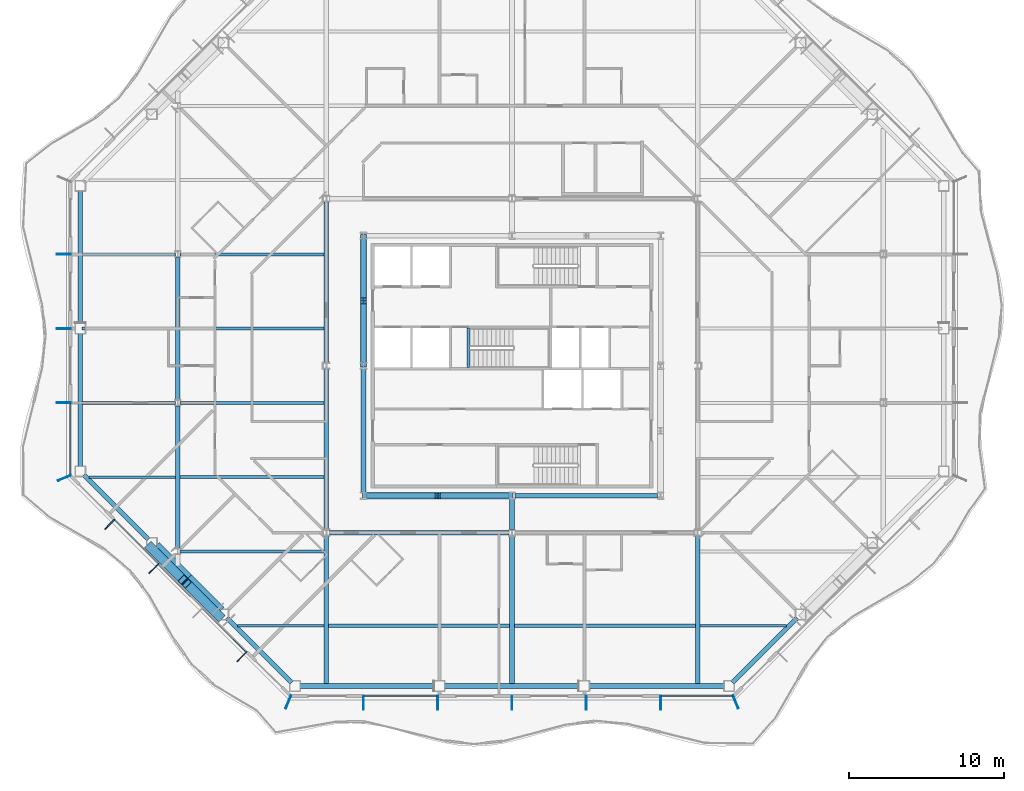
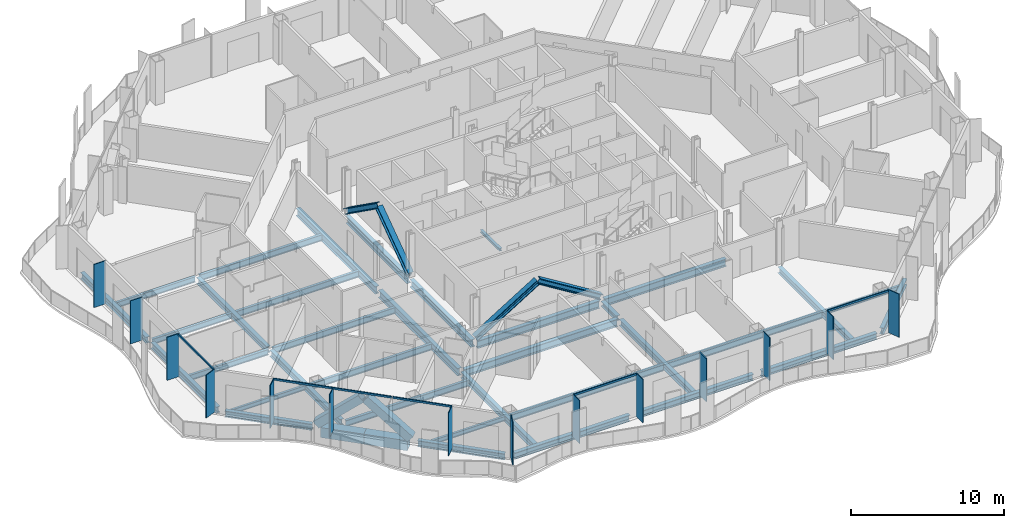
# One storey, part 3 of 22: 37 beams, 26 members, 4 elements without a shape of their own.
"""IFC4 building model written with IfcOpenShell, lengths in metres."""

from ifc_helpers import new_model, si_unit, direction, frame, origin, origin_2d, place, context, subcontext, project, spatial, rectangle, hollow_rectangle, i_section, extrude, material, material_profile, profile_set, type_object, element, aggregate, save


model = new_model("IFC4")

# Units and contexts
model_context = context("Model", 3, precision=1e-05, world=origin(), true_north=direction((0.0, 1.0)))
body_context = subcontext(model_context, "Body", "Model", "MODEL_VIEW")
ifc_project = project(units=[si_unit("LENGTHUNIT", "METRE"), si_unit("AREAUNIT", "SQUARE_METRE"), si_unit("VOLUMEUNIT", "CUBIC_METRE"), si_unit("PLANEANGLEUNIT", "RADIAN"), si_unit("MASSUNIT", "GRAM", prefix="KILO")], contexts=[model_context])

# Site, building, storey
site_placement = place(None, origin())
site = spatial("IfcSite", under=ifc_project, at=site_placement, CompositionType="ELEMENT")
building_placement = place(site_placement, origin())
building = spatial("IfcBuilding", under=site, at=building_placement, Name="Cairn Pilgrim Tower", CompositionType="ELEMENT")
storey_placement = place(building_placement, frame((0.0, 0.0, 147.0)))
storey = spatial("IfcBuildingStorey", under=building, at=storey_placement, Name="L36", CompositionType="ELEMENT", Elevation=147.0)

# Members
ifc_material_1 = material(Name="Structural steel S460M", Category="steel")
ifc_material_profile_1 = material_profile(ifc_material_1, hollow_rectangle(XDim=0.60009765625, YDim=0.60009765625, WallThickness=0.034912109375, at=origin_2d()), Name="BOX 600x600x35")
ifc_profile_set_1 = profile_set([ifc_material_profile_1], Name="Structural steel S460M")
member_type_1 = type_object("IfcMemberType", Name="BOX 600x600x35 BRACE", PredefinedType="BRACE", material=ifc_profile_set_1)
for number, where, z_axis, x_axis, name in (
    (1, (-16.213623046875, -9.288330078125, 0.14990234375), (0.535555986925, -0.535555986925, 0.652962150311), (0.707106781187, 0.707106781187, 0.0), "XB-SW2-SW3-1"),
    (2, (-11.6884765625, -13.813720703125, 0.14990234375), (-0.535512846393, 0.535573335815, 0.652983302476), (-0.707146713802, -0.707066846316, 0.0), "XB-SW2-SW3-2"),
):
    element("IfcMember", number, at=place(storey_placement, frame(where, z_axis=z_axis, x_axis=x_axis)), inside=storey, type_object=member_type_1, Name=name, PredefinedType="BRACE", context=body_context, shape_type="SweptSolid", body=[
        extrude(hollow_rectangle(XDim=0.60009765625, YDim=0.60009765625, WallThickness=0.034912109375, at=origin_2d()), origin(), (0.0, 0.0, 1.0), 4.0361328125),
    ])

# Beams
ifc_material_2 = material(Name="Structural steel S355J2", Category="steel")
ifc_material_profile_2 = material_profile(ifc_material_2, hollow_rectangle(XDim=0.699951171875, YDim=0.800048828125, WallThickness=0.0400390625, at=origin_2d()), Name="BOX 700x800x40")
ifc_profile_set_2 = profile_set([ifc_material_profile_2], Name="Structural steel S355J2")
beam_type_1 = type_object("IfcBeamType", Name="BOX 700x800x40 RING GIRDER", PredefinedType="SPANDREL", material=ifc_profile_set_2)
for number, where, z_axis, x_axis, name in (
    (3, (-15.85302734375, -9.274169921875, -0.550048828125), (0.707106781187, -0.707106781187, 0.0), (0.707106781187, 0.707106781187, 0.0), "RG2-SW2-SW3-1"),
    (4, (-13.763671875, -11.363525390625, -0.550048828125), (0.707106781187, -0.707106781187, 0.0), (0.707106781187, 0.707106781187, 0.0), "RG2-SW2-SW3-2"),
):
    element("IfcBeam", number, at=place(storey_placement, frame(where, z_axis=z_axis, x_axis=x_axis)), inside=storey, type_object=beam_type_1, Name=name, PredefinedType="SPANDREL", context=body_context, shape_type="SweptSolid", body=[
        extrude(hollow_rectangle(XDim=0.699951171875, YDim=0.800048828125, WallThickness=0.0400390625, at=origin_2d()), origin(), (0.0, 0.0, 1.0), 2.954833984375),
    ])

# Curtain wall, members
ifc_material_3 = material(Name="Aluminium alloy 6063-T6 bronze anodised with Bronze tinted laminated low-E glass 8+16+8.8", Category="aluminium")
curtain_wall_type_1 = type_object("IfcCurtainWallType", Name="TOWER STICK CURTAIN WALL NS", PredefinedType="NOTDEFINED", material=ifc_material_3)
curtain_wall_1_placement = place(storey_placement, origin())
curtain_wall_1 = element("IfcCurtainWall", 5, at=curtain_wall_1_placement, inside=storey, type_object=curtain_wall_type_1, Name="Tower Stick Curtain Wall Ns S", PredefinedType="NOTDEFINED")
ifc_material_4 = material(Name="Aluminium alloy 6063-T6 bronze anodised", Category="aluminium")
ifc_material_profile_3 = material_profile(ifc_material_4, rectangle(XDim=0.89990234375, YDim=0.06005859375, at=origin_2d()), Name="FIN MULLION 60x900 BRONZE")
ifc_profile_set_3 = profile_set([ifc_material_profile_3], Name="Aluminium alloy 6063-T6 bronze anodised")
member_type_2 = type_object("IfcMemberType", Name="FIN MULLION 60x900 BRONZE", PredefinedType="MULLION", material=ifc_profile_set_3)
member_1_placement = place(storey_placement, frame((-7.257080078125, -19.338134765625, 0.0), z_axis=(0.0, 0.0, 1.0), x_axis=(-0.382683432365, -0.923879532511, 0.0)))
member_1 = element("IfcMember", 6, at=member_1_placement, type_object=member_type_2, Name="Fin mullion S1", PredefinedType="MULLION", context=body_context, shape_type="SweptSolid", body=[
    extrude(rectangle(XDim=0.89990234375, YDim=0.06005859375, at=origin_2d()), origin(), (0.0, 0.0, 1.0), 3.449951171875),
])
member_2_placement = place(storey_placement, frame((-2.39990234375, -19.3701171875, 0.0), z_axis=(0.0, 0.0, 1.0), x_axis=(0.0, -1.0, 0.0)))
member_2 = element("IfcMember", 7, at=member_2_placement, type_object=member_type_2, Name="Fin mullion S2", PredefinedType="MULLION", context=body_context, shape_type="SweptSolid", body=[
    extrude(rectangle(XDim=0.89990234375, YDim=0.06005859375, at=origin_2d()), origin(), (0.0, 0.0, 1.0), 3.449951171875),
])
member_3_placement = place(storey_placement, frame((2.39990234375, -19.3701171875, 0.0), z_axis=(0.0, 0.0, 1.0), x_axis=(0.0, -1.0, 0.0)))
member_3 = element("IfcMember", 8, at=member_3_placement, type_object=member_type_2, Name="Fin mullion S3", PredefinedType="MULLION", context=body_context, shape_type="SweptSolid", body=[
    extrude(rectangle(XDim=0.89990234375, YDim=0.06005859375, at=origin_2d()), origin(), (0.0, 0.0, 1.0), 3.449951171875),
])
member_4_placement = place(storey_placement, frame((7.199951171875, -19.3701171875, 0.0), z_axis=(0.0, 0.0, 1.0), x_axis=(0.0, -1.0, 0.0)))
member_4 = element("IfcMember", 9, at=member_4_placement, type_object=member_type_2, Name="Fin mullion S4", PredefinedType="MULLION", context=body_context, shape_type="SweptSolid", body=[
    extrude(rectangle(XDim=0.89990234375, YDim=0.06005859375, at=origin_2d()), origin(), (0.0, 0.0, 1.0), 3.449951171875),
])
member_5_placement = place(storey_placement, frame((12.0, -19.3701171875, 0.0), z_axis=(0.0, 0.0, 1.0), x_axis=(0.0, -1.0, 0.0)))
member_5 = element("IfcMember", 10, at=member_5_placement, type_object=member_type_2, Name="Fin mullion S5", PredefinedType="MULLION", context=body_context, shape_type="SweptSolid", body=[
    extrude(rectangle(XDim=0.89990234375, YDim=0.06005859375, at=origin_2d()), origin(), (0.0, 0.0, 1.0), 3.449951171875),
])
member_6_placement = place(storey_placement, frame((16.800048828125, -19.3701171875, 0.0), z_axis=(0.0, 0.0, 1.0), x_axis=(0.0, -1.0, 0.0)))
member_6 = element("IfcMember", 11, at=member_6_placement, type_object=member_type_2, Name="Fin mullion S6", PredefinedType="MULLION", context=body_context, shape_type="SweptSolid", body=[
    extrude(rectangle(XDim=0.89990234375, YDim=0.06005859375, at=origin_2d()), origin(), (0.0, 0.0, 1.0), 3.449951171875),
])

# Curtain wall, member
curtain_wall_type_2 = type_object("IfcCurtainWallType", Name="CHAMFER CORNER CURTAIN WALL", PredefinedType="NOTDEFINED", material=ifc_material_3)
curtain_wall_2_placement = place(storey_placement, origin())
curtain_wall_2 = element("IfcCurtainWall", 12, at=curtain_wall_2_placement, inside=storey, type_object=curtain_wall_type_2, Name="Chamfer Corner Curtain Wall SE", PredefinedType="NOTDEFINED")
member_7_placement = place(storey_placement, frame((21.6572265625, -19.338134765625, 0.0), z_axis=(0.0, 0.0, 1.0), x_axis=(0.382683432365, -0.923879532511, 0.0)))
member_7 = element("IfcMember", 13, at=member_7_placement, type_object=member_type_2, Name="Fin mullion SE1", PredefinedType="MULLION", context=body_context, shape_type="SweptSolid", body=[
    extrude(rectangle(XDim=0.89990234375, YDim=0.06005859375, at=origin_2d()), origin(), (0.0, 0.0, 1.0), 3.449951171875),
])
aggregate(curtain_wall_2, [member_7])

# Curtain wall, members
curtain_wall_type_3 = type_object("IfcCurtainWallType", Name="TOWER STICK CURTAIN WALL EW", PredefinedType="NOTDEFINED", material=ifc_material_3)
curtain_wall_3_placement = place(storey_placement, origin())
curtain_wall_3 = element("IfcCurtainWall", 14, at=curtain_wall_3_placement, inside=storey, type_object=curtain_wall_type_3, Name="Tower Stick Curtain Wall Ew W", PredefinedType="NOTDEFINED")
member_8_placement = place(storey_placement, frame((-21.77001953125, 9.60009765625, 0.0), z_axis=(0.0, 0.0, 1.0), x_axis=(-1.0, 0.0, 0.0)))
member_8 = element("IfcMember", 15, at=member_8_placement, type_object=member_type_2, Name="Fin mullion W2", PredefinedType="MULLION", context=body_context, shape_type="SweptSolid", body=[
    extrude(rectangle(XDim=0.89990234375, YDim=0.06005859375, at=origin_2d()), origin(), (0.0, 0.0, 1.0), 3.449951171875),
])
member_9_placement = place(storey_placement, frame((-21.77001953125, 4.800048828125, 0.0), z_axis=(0.0, 0.0, 1.0), x_axis=(-1.0, 0.0, 0.0)))
member_9 = element("IfcMember", 16, at=member_9_placement, type_object=member_type_2, Name="Fin mullion W3", PredefinedType="MULLION", context=body_context, shape_type="SweptSolid", body=[
    extrude(rectangle(XDim=0.89990234375, YDim=0.06005859375, at=origin_2d()), origin(), (0.0, 0.0, 1.0), 3.449951171875),
])
member_10_placement = place(storey_placement, frame((-21.77001953125, 0.0, 0.0), z_axis=(0.0, 0.0, 1.0), x_axis=(-1.0, 0.0, 0.0)))
member_10 = element("IfcMember", 17, at=member_10_placement, type_object=member_type_2, Name="Fin mullion W4", PredefinedType="MULLION", context=body_context, shape_type="SweptSolid", body=[
    extrude(rectangle(XDim=0.89990234375, YDim=0.06005859375, at=origin_2d()), origin(), (0.0, 0.0, 1.0), 3.449951171875),
])

curtain_wall_4_placement = place(storey_placement, origin())
curtain_wall_4 = element("IfcCurtainWall", 18, at=curtain_wall_4_placement, inside=storey, type_object=curtain_wall_type_2, Name="Chamfer Corner Curtain Wall SW", PredefinedType="NOTDEFINED")
member_11_placement = place(storey_placement, frame((-21.738037109375, -4.857177734375, 0.0), z_axis=(0.0, 0.0, 1.0), x_axis=(-0.923879532511, -0.382683432365, 0.0)))
member_11 = element("IfcMember", 19, at=member_11_placement, type_object=member_type_2, Name="Fin mullion SW1", PredefinedType="MULLION", context=body_context, shape_type="SweptSolid", body=[
    extrude(rectangle(XDim=0.89990234375, YDim=0.06005859375, at=origin_2d()), origin(), (0.0, 0.0, 1.0), 3.449951171875),
])
member_12_placement = place(storey_placement, frame((-18.79638671875, -7.84423828125, 0.0), z_axis=(0.0, 0.0, 1.0), x_axis=(-0.707106781187, -0.707106781187, 0.0)))
member_12 = element("IfcMember", 20, at=member_12_placement, type_object=member_type_2, Name="Fin mullion SW2", PredefinedType="MULLION", context=body_context, shape_type="SweptSolid", body=[
    extrude(rectangle(XDim=0.89990234375, YDim=0.06005859375, at=origin_2d()), origin(), (0.0, 0.0, 1.0), 3.449951171875),
])
member_13_placement = place(storey_placement, frame((-15.945556640625, -10.69482421875, 0.0), z_axis=(0.0, 0.0, 1.0), x_axis=(-0.707106781187, -0.707106781187, 0.0)))
member_13 = element("IfcMember", 21, at=member_13_placement, type_object=member_type_2, Name="Fin mullion SW3", PredefinedType="MULLION", context=body_context, shape_type="SweptSolid", body=[
    extrude(rectangle(XDim=0.89990234375, YDim=0.06005859375, at=origin_2d()), origin(), (0.0, 0.0, 1.0), 3.449951171875),
])
member_14_placement = place(storey_placement, frame((-10.244140625, -16.396240234375, 0.0), z_axis=(0.0, 0.0, 1.0), x_axis=(-0.707106781187, -0.707106781187, 0.0)))
member_14 = element("IfcMember", 22, at=member_14_placement, type_object=member_type_2, Name="Fin mullion SW5", PredefinedType="MULLION", context=body_context, shape_type="SweptSolid", body=[
    extrude(rectangle(XDim=0.89990234375, YDim=0.06005859375, at=origin_2d()), origin(), (0.0, 0.0, 1.0), 3.449951171875),
])

# Members
ifc_material_profile_4 = material_profile(ifc_material_1, i_section(OverallWidth=0.408935546875, OverallDepth=0.425048828125, WebThickness=0.03271484375, FlangeThickness=0.052490234375, FilletRadius=0.014892578125, at=origin_2d()), Name="HD 400x421")
ifc_profile_set_4 = profile_set([ifc_material_profile_4], Name="Structural steel S460M")
member_type_3 = type_object("IfcMemberType", Name="HD 400x421 BRACE", PredefinedType="BRACE", material=ifc_profile_set_4)
for number, where, z_axis, x_axis, name in (
    (23, (-2.357666015625, -6.0, 0.10009765625), (0.85108304523, 0.0, 0.525031094434), (0.0, 1.0, 0.0), "KB-1A"),
    (24, (7.15771484375, -6.0, 0.10009765625), (-0.851095219931, 0.0, 0.525011358553), (0.0, -1.0, 0.0), "KB-1B"),
):
    element("IfcMember", number, at=place(storey_placement, frame(where, z_axis=z_axis, x_axis=x_axis)), inside=storey, type_object=member_type_3, Name=name, PredefinedType="BRACE", context=body_context, shape_type="SweptSolid", body=[
        extrude(i_section(OverallWidth=0.408935546875, OverallDepth=0.425048828125, WebThickness=0.03271484375, FlangeThickness=0.052490234375, FilletRadius=0.014892578125, at=origin_2d()), origin(), (0.0, 0.0, 1.0), 5.527587890625),
    ])
for number, where, z_axis, x_axis, name in (
    (25, (-2.39990234375, 10.757568359375, 0.10009765625), (0.0, -0.814281054922, 0.58047081201), (1.0, 0.0, 0.0), "KB-4A"),
    (26, (-2.39990234375, 2.4423828125, 0.10009765625), (0.0, 0.814281054922, 0.58047081201), (-1.0, 0.0, 0.0), "KB-4B"),
):
    element("IfcMember", number, at=place(storey_placement, frame(where, z_axis=z_axis, x_axis=x_axis)), inside=storey, type_object=member_type_3, Name=name, PredefinedType="BRACE", context=body_context, shape_type="SweptSolid", body=[
        extrude(i_section(OverallWidth=0.408935546875, OverallDepth=0.425048828125, WebThickness=0.03271484375, FlangeThickness=0.052490234375, FilletRadius=0.014892578125, at=origin_2d()), origin(), (0.0, 0.0, 1.0), 4.99755859375),
    ])

# Beams
ifc_material_profile_5 = material_profile(ifc_material_2, i_section(OverallWidth=0.300048828125, OverallDepth=0.39990234375, WebThickness=0.013427734375, FlangeThickness=0.02392578125, FilletRadius=0.027099609375, at=origin_2d()), Name="HEB 400")
ifc_profile_set_5 = profile_set([ifc_material_profile_5], Name="Structural steel S355J2")
beam_type_2 = type_object("IfcBeamType", Name="HEB 400 GIRDER", PredefinedType="BEAM", material=ifc_profile_set_5)
beam_1_placement = place(storey_placement, frame((7.199951171875, -8.195556640625, -0.35009765625), z_axis=(0.0, 1.0, 0.0), x_axis=(-1.0, 0.0, 0.0)))
element("IfcBeam", 27, at=beam_1_placement, inside=storey, type_object=beam_type_2, Name="PG3-E1", PredefinedType="BEAM", context=body_context, shape_type="SweptSolid", body=[
    extrude(i_section(OverallWidth=0.300048828125, OverallDepth=0.39990234375, WebThickness=0.013427734375, FlangeThickness=0.02392578125, FilletRadius=0.027099609375, at=origin_2d()), origin(), (0.0, 0.0, 1.0), 1.983642578125),
])
ifc_material_profile_6 = material_profile(ifc_material_2, i_section(OverallWidth=0.300048828125, OverallDepth=0.5, WebThickness=0.014404296875, FlangeThickness=0.028076171875, FilletRadius=0.027099609375, at=origin_2d()), Name="HEB 500")
ifc_profile_set_6 = profile_set([ifc_material_profile_6], Name="Structural steel S355J2")
beam_type_3 = type_object("IfcBeamType", Name="HEB 500 GIRDER", PredefinedType="BEAM", material=ifc_profile_set_6)
for number, where, z_axis, x_axis, name in (
    (28, (-14.39990234375, -9.400390625, -0.39990234375), (0.0, 1.0, 0.0), (-1.0, 0.0, 0.0), "PG1-1"),
    (29, (-14.39990234375, 0.199462890625, -0.39990234375), (0.0, 1.0, 0.0), (-1.0, 0.0, 0.0), "PG1-2"),
):
    element("IfcBeam", number, at=place(storey_placement, frame(where, z_axis=z_axis, x_axis=x_axis)), inside=storey, type_object=beam_type_3, Name=name, PredefinedType="BEAM", context=body_context, shape_type="SweptSolid", body=[
        extrude(i_section(OverallWidth=0.300048828125, OverallDepth=0.5, WebThickness=0.014404296875, FlangeThickness=0.028076171875, FilletRadius=0.027099609375, at=origin_2d()), origin(), (0.0, 0.0, 1.0), 9.200927734375),
    ])
for number, where, z_axis, x_axis, name in (
    (30, (-4.800048828125, -18.179931640625, -0.39990234375), (0.0, 1.0, 0.0), (-1.0, 0.0, 0.0), "PG2-1"),
    (31, (7.199951171875, -18.179931640625, -0.39990234375), (0.0, 1.0, 0.0), (-1.0, 0.0, 0.0), "PG3-1"),
    (32, (19.199951171875, -18.179931640625, -0.39990234375), (0.0, 1.0, 0.0), (-1.0, 0.0, 0.0), "PG4-1"),
):
    element("IfcBeam", number, at=place(storey_placement, frame(where, z_axis=z_axis, x_axis=x_axis)), inside=storey, type_object=beam_type_3, Name=name, PredefinedType="BEAM", context=body_context, shape_type="SweptSolid", body=[
        extrude(i_section(OverallWidth=0.300048828125, OverallDepth=0.5, WebThickness=0.014404296875, FlangeThickness=0.028076171875, FilletRadius=0.027099609375, at=origin_2d()), origin(), (0.0, 0.0, 1.0), 9.575439453125),
    ])
ifc_material_profile_7 = material_profile(ifc_material_2, i_section(OverallWidth=0.300048828125, OverallDepth=0.5, WebThickness=0.014404296875, FlangeThickness=0.028076171875, FilletRadius=0.027099609375, at=origin_2d()), Name="HEB 500")
ifc_profile_set_7 = profile_set([ifc_material_profile_7], Name="Structural steel S355J2")
beam_type_4 = type_object("IfcBeamType", Name="HEB 500 RING GIRDER", PredefinedType="SPANDREL", material=ifc_profile_set_7)
for number, where, z_axis, x_axis, name in (
    (33, (-6.51220703125, -18.300048828125, -0.39990234375), (1.0, 0.0, 0.0), (0.0, 1.0, 0.0), "RG2-S1-S2"),
    (34, (2.83935546875, -18.300048828125, -0.39990234375), (1.0, 0.0, 0.0), (0.0, 1.0, 0.0), "RG2-S2-S3"),
    (35, (12.190673828125, -18.300048828125, -0.39990234375), (1.0, 0.0, 0.0), (0.0, 1.0, 0.0), "RG2-S3-SE1"),
):
    element("IfcBeam", number, at=place(storey_placement, frame(where, z_axis=z_axis, x_axis=x_axis)), inside=storey, type_object=beam_type_4, Name=name, PredefinedType="SPANDREL", context=body_context, shape_type="SweptSolid", body=[
        extrude(i_section(OverallWidth=0.300048828125, OverallDepth=0.5, WebThickness=0.014404296875, FlangeThickness=0.028076171875, FilletRadius=0.027099609375, at=origin_2d()), origin(), (0.0, 0.0, 1.0), 8.721435546875),
    ])
beam_2_placement = place(storey_placement, frame((21.449951171875, -18.077392578125, -0.39990234375), z_axis=(0.707086125179, 0.707127436591, 0.0), x_axis=(-0.707127436591, 0.707086125179, 0.0)))
element("IfcBeam", 36, at=beam_2_placement, inside=storey, type_object=beam_type_4, Name="RG2-SE1-SE2", PredefinedType="SPANDREL", context=body_context, shape_type="SweptSolid", body=[
    extrude(i_section(OverallWidth=0.300048828125, OverallDepth=0.5, WebThickness=0.014404296875, FlangeThickness=0.028076171875, FilletRadius=0.027099609375, at=origin_2d()), origin(), (0.0, 0.0, 1.0), 5.90966796875),
])
beam_3_placement = place(storey_placement, frame((-20.699951171875, 13.712158203125, -0.39990234375), z_axis=(0.0, -1.0, 0.0), x_axis=(1.0, 0.0, 0.0)))
element("IfcBeam", 37, at=beam_3_placement, inside=storey, type_object=beam_type_4, Name="RG2-W1-W2", PredefinedType="SPANDREL", context=body_context, shape_type="SweptSolid", body=[
    extrude(i_section(OverallWidth=0.300048828125, OverallDepth=0.5, WebThickness=0.014404296875, FlangeThickness=0.028076171875, FilletRadius=0.027099609375, at=origin_2d()), origin(), (0.0, 0.0, 1.0), 8.59716796875),
])
beam_4_placement = place(storey_placement, frame((-20.699951171875, 4.485107421875, -0.39990234375), z_axis=(0.0, -1.0, 0.0), x_axis=(1.0, 0.0, 0.0)))
element("IfcBeam", 38, at=beam_4_placement, inside=storey, type_object=beam_type_4, Name="RG2-W2-SW1", PredefinedType="SPANDREL", context=body_context, shape_type="SweptSolid", body=[
    extrude(i_section(OverallWidth=0.300048828125, OverallDepth=0.5, WebThickness=0.014404296875, FlangeThickness=0.028076171875, FilletRadius=0.027099609375, at=origin_2d()), origin(), (0.0, 0.0, 1.0), 8.597412109375),
])
beam_5_placement = place(storey_placement, frame((-20.477294921875, -4.64990234375, -0.39990234375), z_axis=(0.707106781187, -0.707106781187, 0.0), x_axis=(0.707106781187, 0.707106781187, 0.0)))
element("IfcBeam", 39, at=beam_5_placement, inside=storey, type_object=beam_type_4, Name="RG2-SW1-SW2", PredefinedType="SPANDREL", context=body_context, shape_type="SweptSolid", body=[
    extrude(i_section(OverallWidth=0.300048828125, OverallDepth=0.5, WebThickness=0.014404296875, FlangeThickness=0.028076171875, FilletRadius=0.027099609375, at=origin_2d()), origin(), (0.0, 0.0, 1.0), 5.90966796875),
])
beam_6_placement = place(storey_placement, frame((-11.228759765625, -13.8984375, -0.39990234375), z_axis=(0.707106781187, -0.707106781187, 0.0), x_axis=(0.707106781187, 0.707106781187, 0.0)))
element("IfcBeam", 40, at=beam_6_placement, inside=storey, type_object=beam_type_4, Name="RG2-SW3-S1", PredefinedType="SPANDREL", context=body_context, shape_type="SweptSolid", body=[
    extrude(i_section(OverallWidth=0.300048828125, OverallDepth=0.5, WebThickness=0.014404296875, FlangeThickness=0.028076171875, FilletRadius=0.027099609375, at=origin_2d()), origin(), (0.0, 0.0, 1.0), 5.909912109375),
])
ifc_material_profile_8 = material_profile(ifc_material_2, i_section(OverallWidth=0.300048828125, OverallDepth=0.60009765625, WebThickness=0.015380859375, FlangeThickness=0.030029296875, FilletRadius=0.027099609375, at=origin_2d()), Name="HEB 600")
ifc_profile_set_8 = profile_set([ifc_material_profile_8], Name="Structural steel S355J2")
beam_type_5 = type_object("IfcBeamType", Name="HEB 600 CORE BEAM", PredefinedType="BEAM", material=ifc_profile_set_8)
beam_7_placement = place(storey_placement, frame((-2.209228515625, -6.0, -0.449951171875), z_axis=(1.0, 0.0, 0.0), x_axis=(0.0, 1.0, 0.0)))
element("IfcBeam", 41, at=beam_7_placement, inside=storey, type_object=beam_type_5, Name="CB-1", PredefinedType="BEAM", context=body_context, shape_type="SweptSolid", body=[
    extrude(i_section(OverallWidth=0.300048828125, OverallDepth=0.60009765625, WebThickness=0.015380859375, FlangeThickness=0.030029296875, FilletRadius=0.027099609375, at=origin_2d()), origin(), (0.0, 0.0, 1.0), 9.218505859375),
])
beam_8_placement = place(storey_placement, frame((7.390869140625, -6.0, -0.449951171875), z_axis=(1.0, 0.0, 0.0), x_axis=(0.0, 1.0, 0.0)))
element("IfcBeam", 42, at=beam_8_placement, inside=storey, type_object=beam_type_5, Name="CB-2", PredefinedType="BEAM", context=body_context, shape_type="SweptSolid", body=[
    extrude(i_section(OverallWidth=0.300048828125, OverallDepth=0.60009765625, WebThickness=0.015380859375, FlangeThickness=0.030029296875, FilletRadius=0.027099609375, at=origin_2d()), origin(), (0.0, 0.0, 1.0), 9.21826171875),
])
for number, where, z_axis, x_axis, name in (
    (43, (-2.39990234375, 10.609130859375, -0.449951171875), (0.0, -1.0, 0.0), (1.0, 0.0, 0.0), "CB-7"),
    (44, (-2.39990234375, 2.209228515625, -0.449951171875), (0.0, -1.0, 0.0), (1.0, 0.0, 0.0), "CB-8"),
):
    element("IfcBeam", number, at=place(storey_placement, frame(where, z_axis=z_axis, x_axis=x_axis)), inside=storey, type_object=beam_type_5, Name=name, PredefinedType="BEAM", context=body_context, shape_type="SweptSolid", body=[
        extrude(i_section(OverallWidth=0.300048828125, OverallDepth=0.60009765625, WebThickness=0.015380859375, FlangeThickness=0.030029296875, FilletRadius=0.027099609375, at=origin_2d()), origin(), (0.0, 0.0, 1.0), 8.018310546875),
    ])
ifc_material_profile_9 = material_profile(ifc_material_2, i_section(OverallWidth=0.300048828125, OverallDepth=0.60009765625, WebThickness=0.015380859375, FlangeThickness=0.030029296875, FilletRadius=0.027099609375, at=origin_2d()), Name="HEB 600")
ifc_profile_set_9 = profile_set([ifc_material_profile_9], Name="Structural steel S355J2")
beam_type_6 = type_object("IfcBeamType", Name="HEB 600 GIRDER", PredefinedType="BEAM", material=ifc_profile_set_9)
for number, where, z_axis, x_axis, name in (
    (45, (-4.800048828125, -8.195556640625, -0.449951171875), (0.0, 1.0, 0.0), (-1.0, 0.0, 0.0), "PG2-2"),
    (46, (-4.800048828125, 2.6044921875, -0.449951171875), (0.0, 1.0, 0.0), (-1.0, 0.0, 0.0), "PG2-3"),
):
    element("IfcBeam", number, at=place(storey_placement, frame(where, z_axis=z_axis, x_axis=x_axis)), inside=storey, type_object=beam_type_6, Name=name, PredefinedType="BEAM", context=body_context, shape_type="SweptSolid", body=[
        extrude(i_section(OverallWidth=0.300048828125, OverallDepth=0.60009765625, WebThickness=0.015380859375, FlangeThickness=0.030029296875, FilletRadius=0.027099609375, at=origin_2d()), origin(), (0.0, 0.0, 1.0), 10.39111328125),
    ])
ifc_material_profile_10 = material_profile(ifc_material_2, i_section(OverallWidth=0.300048828125, OverallDepth=0.60009765625, WebThickness=0.015380859375, FlangeThickness=0.030029296875, FilletRadius=0.027099609375, at=origin_2d()), Name="HEB 600")
ifc_profile_set_10 = profile_set([ifc_material_profile_10], Name="Structural steel S355J2")
beam_type_7 = type_object("IfcBeamType", Name="HEB 600 INNER GIRDER", PredefinedType="BEAM", material=ifc_profile_set_10)
beam_9_placement = place(storey_placement, frame((-4.595458984375, -8.39990234375, -0.449951171875), z_axis=(1.0, 0.0, 0.0), x_axis=(0.0, 1.0, 0.0)))
element("IfcBeam", 47, at=beam_9_placement, inside=storey, type_object=beam_type_7, Name="IG1-1", PredefinedType="BEAM", context=body_context, shape_type="SweptSolid", body=[
    extrude(i_section(OverallWidth=0.300048828125, OverallDepth=0.60009765625, WebThickness=0.015380859375, FlangeThickness=0.030029296875, FilletRadius=0.027099609375, at=origin_2d()), origin(), (0.0, 0.0, 1.0), 11.591064453125),
])
ifc_material_profile_11 = material_profile(ifc_material_2, i_section(OverallWidth=0.169921875, OverallDepth=0.360107421875, WebThickness=0.008056640625, FlangeThickness=0.0126953125, FilletRadius=0.01806640625, at=origin_2d()), Name="IPE 360")
ifc_profile_set_11 = profile_set([ifc_material_profile_11], Name="Structural steel S355J2")
beam_type_8 = type_object("IfcBeamType", Name="IPE 360 SECONDARY BEAM", PredefinedType="JOIST", material=ifc_profile_set_11)
beam_10_placement = place(storey_placement, frame((-10.545166015625, -14.39990234375, -0.330078125), z_axis=(1.0, 0.0, 0.0), x_axis=(0.0, 1.0, 0.0)))
element("IfcBeam", 48, at=beam_10_placement, inside=storey, type_object=beam_type_8, Name="SB1-1", PredefinedType="JOIST", context=body_context, shape_type="SweptSolid", body=[
    extrude(i_section(OverallWidth=0.169921875, OverallDepth=0.360107421875, WebThickness=0.008056640625, FlangeThickness=0.0126953125, FilletRadius=0.01806640625, at=origin_2d()), origin(), (0.0, 0.0, 1.0), 5.59521484375),
])
for number, where, z_axis, x_axis, name in (
    (49, (19.35009765625, -14.39990234375, -0.330078125), (1.0, 0.0, 0.0), (0.0, 1.0, 0.0), "SB1-4"),
    (50, (-20.14501953125, -4.800048828125, -0.330078125), (1.0, 0.0, 0.0), (0.0, 1.0, 0.0), "SB3-1"),
):
    element("IfcBeam", number, at=place(storey_placement, frame(where, z_axis=z_axis, x_axis=x_axis)), inside=storey, type_object=beam_type_8, Name=name, PredefinedType="JOIST", context=body_context, shape_type="SweptSolid", body=[
        extrude(i_section(OverallWidth=0.169921875, OverallDepth=0.360107421875, WebThickness=0.008056640625, FlangeThickness=0.0126953125, FilletRadius=0.01806640625, at=origin_2d()), origin(), (0.0, 0.0, 1.0), 5.594970703125),
    ])
ifc_material_profile_12 = material_profile(ifc_material_2, i_section(OverallWidth=0.18994140625, OverallDepth=0.449951171875, WebThickness=0.009521484375, FlangeThickness=0.0146484375, FilletRadius=0.02099609375, at=origin_2d()), Name="IPE 450")
ifc_profile_set_12 = profile_set([ifc_material_profile_12], Name="Structural steel S355J2")
beam_type_9 = type_object("IfcBeamType", Name="IPE 450 SECONDARY BEAM", PredefinedType="JOIST", material=ifc_profile_set_12)
for number, where, z_axis, x_axis, name in (
    (51, (-20.580078125, 0.0, -0.375), (1.0, 0.0, 0.0), (0.0, 1.0, 0.0), "SB4-1"),
    (52, (-20.580078125, 4.800048828125, -0.375), (1.0, 0.0, 0.0), (0.0, 1.0, 0.0), "SB5-1"),
    (53, (-20.580078125, 9.60009765625, -0.375), (1.0, 0.0, 0.0), (0.0, 1.0, 0.0), "SB6-1"),
):
    element("IfcBeam", number, at=place(storey_placement, frame(where, z_axis=z_axis, x_axis=x_axis)), inside=storey, type_object=beam_type_9, Name=name, PredefinedType="JOIST", context=body_context, shape_type="SweptSolid", body=[
        extrude(i_section(OverallWidth=0.18994140625, OverallDepth=0.449951171875, WebThickness=0.009521484375, FlangeThickness=0.0146484375, FilletRadius=0.02099609375, at=origin_2d()), origin(), (0.0, 0.0, 1.0), 6.030029296875),
    ])
ifc_material_profile_13 = material_profile(ifc_material_2, i_section(OverallWidth=0.199951171875, OverallDepth=0.5, WebThickness=0.01025390625, FlangeThickness=0.01611328125, FilletRadius=0.02099609375, at=origin_2d()), Name="IPE 500")
ifc_profile_set_13 = profile_set([ifc_material_profile_13], Name="Structural steel S355J2")
beam_type_10 = type_object("IfcBeamType", Name="IPE 500 SECONDARY BEAM", PredefinedType="JOIST", material=ifc_profile_set_13)
for number, where, z_axis, x_axis, name in (
    (54, (-14.25, -9.60009765625, -0.39990234375), (1.0, 0.0, 0.0), (0.0, 1.0, 0.0), "SB2-1"),
    (55, (-14.25, -4.800048828125, -0.39990234375), (1.0, 0.0, 0.0), (0.0, 1.0, 0.0), "SB3-2"),
    (56, (-14.25, 0.0, -0.39990234375), (1.0, 0.0, 0.0), (0.0, 1.0, 0.0), "SB4-2"),
    (57, (-14.25, 4.800048828125, -0.39990234375), (1.0, 0.0, 0.0), (0.0, 1.0, 0.0), "SB5-2"),
    (58, (-14.25, 9.60009765625, -0.39990234375), (1.0, 0.0, 0.0), (0.0, 1.0, 0.0), "SB6-2"),
):
    element("IfcBeam", number, at=place(storey_placement, frame(where, z_axis=z_axis, x_axis=x_axis)), inside=storey, type_object=beam_type_10, Name=name, PredefinedType="JOIST", context=body_context, shape_type="SweptSolid", body=[
        extrude(i_section(OverallWidth=0.199951171875, OverallDepth=0.5, WebThickness=0.01025390625, FlangeThickness=0.01611328125, FilletRadius=0.02099609375, at=origin_2d()), origin(), (0.0, 0.0, 1.0), 9.300048828125),
    ])
ifc_material_profile_14 = material_profile(ifc_material_2, i_section(OverallWidth=0.2099609375, OverallDepth=0.550048828125, WebThickness=0.010986328125, FlangeThickness=0.01708984375, FilletRadius=0.02392578125, at=origin_2d()), Name="IPE 550")
ifc_profile_set_14 = profile_set([ifc_material_profile_14], Name="Structural steel S355J2")
beam_type_11 = type_object("IfcBeamType", Name="IPE 550 SECONDARY BEAM", PredefinedType="JOIST", material=ifc_profile_set_14)
for number, where, z_axis, x_axis, name in (
    (59, (-4.64990234375, -14.39990234375, -0.425048828125), (1.0, 0.0, 0.0), (0.0, 1.0, 0.0), "SB1-2"),
    (60, (7.35009765625, -14.39990234375, -0.425048828125), (1.0, 0.0, 0.0), (0.0, 1.0, 0.0), "SB1-3"),
):
    element("IfcBeam", number, at=place(storey_placement, frame(where, z_axis=z_axis, x_axis=x_axis)), inside=storey, type_object=beam_type_11, Name=name, PredefinedType="JOIST", context=body_context, shape_type="SweptSolid", body=[
        extrude(i_section(OverallWidth=0.2099609375, OverallDepth=0.550048828125, WebThickness=0.010986328125, FlangeThickness=0.01708984375, FilletRadius=0.02392578125, at=origin_2d()), origin(), (0.0, 0.0, 1.0), 11.699951171875),
    ])
ifc_material_profile_15 = material_profile(ifc_material_2, i_section(OverallWidth=0.199951171875, OverallDepth=0.199951171875, WebThickness=0.009033203125, FlangeThickness=0.014892578125, FilletRadius=0.01806640625, at=origin_2d()), Name="HE 200 B")
ifc_profile_set_15 = profile_set([ifc_material_profile_15], Name="Structural steel S355J2")
beam_type_12 = type_object("IfcBeamType", Name="STAIR LANDING BEAM HE 200 B", PredefinedType="BEAM", material=ifc_profile_set_15)
beam_11_placement = place(storey_placement, frame((4.37548828125, 2.27490234375, -0.25), z_axis=(0.0, 1.0, 0.0), x_axis=(-1.0, 0.0, 0.0)))
element("IfcBeam", 61, at=beam_11_placement, inside=storey, type_object=beam_type_12, Name="STAIR LANDING BEAM LD-HE200B", PredefinedType="BEAM", context=body_context, shape_type="SweptSolid", body=[
    extrude(i_section(OverallWidth=0.199951171875, OverallDepth=0.199951171875, WebThickness=0.009033203125, FlangeThickness=0.014892578125, FilletRadius=0.01806640625, at=origin_2d()), origin(), (0.0, 0.0, 1.0), 2.550048828125),
])

# Member
ifc_material_profile_16 = material_profile(ifc_material_4, rectangle(XDim=0.080078125, YDim=0.14990234375, at=origin_2d()), Name="TRANSOM 80x150 BRONZE")
ifc_profile_set_16 = profile_set([ifc_material_profile_16], Name="Aluminium alloy 6063-T6 bronze anodised")
member_type_4 = type_object("IfcMemberType", Name="TRANSOM 80x150 BRONZE", PredefinedType="USERDEFINED", material=ifc_profile_set_16)
member_15_placement = place(storey_placement, frame((-2.3701171875, -18.949951171875, 3.375), z_axis=(1.0, 0.0, 0.0), x_axis=(0.0, 1.0, 0.0)))
member_15 = element("IfcMember", 62, at=member_15_placement, type_object=member_type_4, Name="Transom S2", ObjectType="TRANSOM", PredefinedType="USERDEFINED", context=body_context, shape_type="SweptSolid", body=[
    extrude(rectangle(XDim=0.080078125, YDim=0.14990234375, at=origin_2d()), origin(), (0.0, 0.0, 1.0), 4.740234375),
])

member_16_placement = place(storey_placement, frame((16.830078125, -18.949951171875, 3.375), z_axis=(1.0, 0.0, 0.0), x_axis=(0.0, 1.0, 0.0)))
member_16 = element("IfcMember", 63, at=member_16_placement, type_object=member_type_4, Name="Transom S6", ObjectType="TRANSOM", PredefinedType="USERDEFINED", context=body_context, shape_type="SweptSolid", body=[
    extrude(rectangle(XDim=0.080078125, YDim=0.14990234375, at=origin_2d()), origin(), (0.0, 0.0, 1.0), 4.62646484375),
])

aggregate(curtain_wall_1, [member_1, member_2, member_3, member_4, member_5, member_6, member_15, member_16])

member_17_placement = place(storey_placement, frame((-21.35009765625, -0.030029296875, 3.375), z_axis=(0.0, -1.0, 0.0), x_axis=(1.0, 0.0, 0.0)))
member_17 = element("IfcMember", 64, at=member_17_placement, type_object=member_type_4, Name="Transom W4", ObjectType="TRANSOM", PredefinedType="USERDEFINED", context=body_context, shape_type="SweptSolid", body=[
    extrude(rectangle(XDim=0.080078125, YDim=0.14990234375, at=origin_2d()), origin(), (0.0, 0.0, 1.0), 4.62646484375),
])

aggregate(curtain_wall_3, [member_8, member_9, member_10, member_17])

member_18_placement = place(storey_placement, frame((-18.47802734375, -7.568359375, 3.375), z_axis=(0.707106781187, -0.707106781187, 0.0), x_axis=(0.707106781187, 0.707106781187, 0.0)))
member_18 = element("IfcMember", 65, at=member_18_placement, type_object=member_type_4, Name="Transom SW2", ObjectType="TRANSOM", PredefinedType="USERDEFINED", context=body_context, shape_type="SweptSolid", body=[
    extrude(rectangle(XDim=0.080078125, YDim=0.14990234375, at=origin_2d()), origin(), (0.0, 0.0, 1.0), 3.9716796875),
])

member_19_placement = place(storey_placement, frame((-15.62744140625, -10.419189453125, 3.375), z_axis=(0.70713751761, -0.707076043427, 0.0), x_axis=(0.707076043427, 0.70713751761, 0.0)))
member_19 = element("IfcMember", 66, at=member_19_placement, type_object=member_type_4, Name="Transom SW3", ObjectType="TRANSOM", PredefinedType="USERDEFINED", context=body_context, shape_type="SweptSolid", body=[
    extrude(rectangle(XDim=0.080078125, YDim=0.14990234375, at=origin_2d()), origin(), (0.0, 0.0, 1.0), 3.971435546875),
])

member_20_placement = place(storey_placement, frame((-12.776611328125, -13.269775390625, 3.375), z_axis=(0.707106781187, -0.707106781187, 0.0), x_axis=(0.707106781187, 0.707106781187, 0.0)))
member_20 = element("IfcMember", 67, at=member_20_placement, type_object=member_type_4, Name="Transom SW4", ObjectType="TRANSOM", PredefinedType="USERDEFINED", context=body_context, shape_type="SweptSolid", body=[
    extrude(rectangle(XDim=0.080078125, YDim=0.14990234375, at=origin_2d()), origin(), (0.0, 0.0, 1.0), 3.9716796875),
])

aggregate(curtain_wall_4, [member_11, member_12, member_13, member_14, member_18, member_19, member_20])

save(model, "model.ifc")
